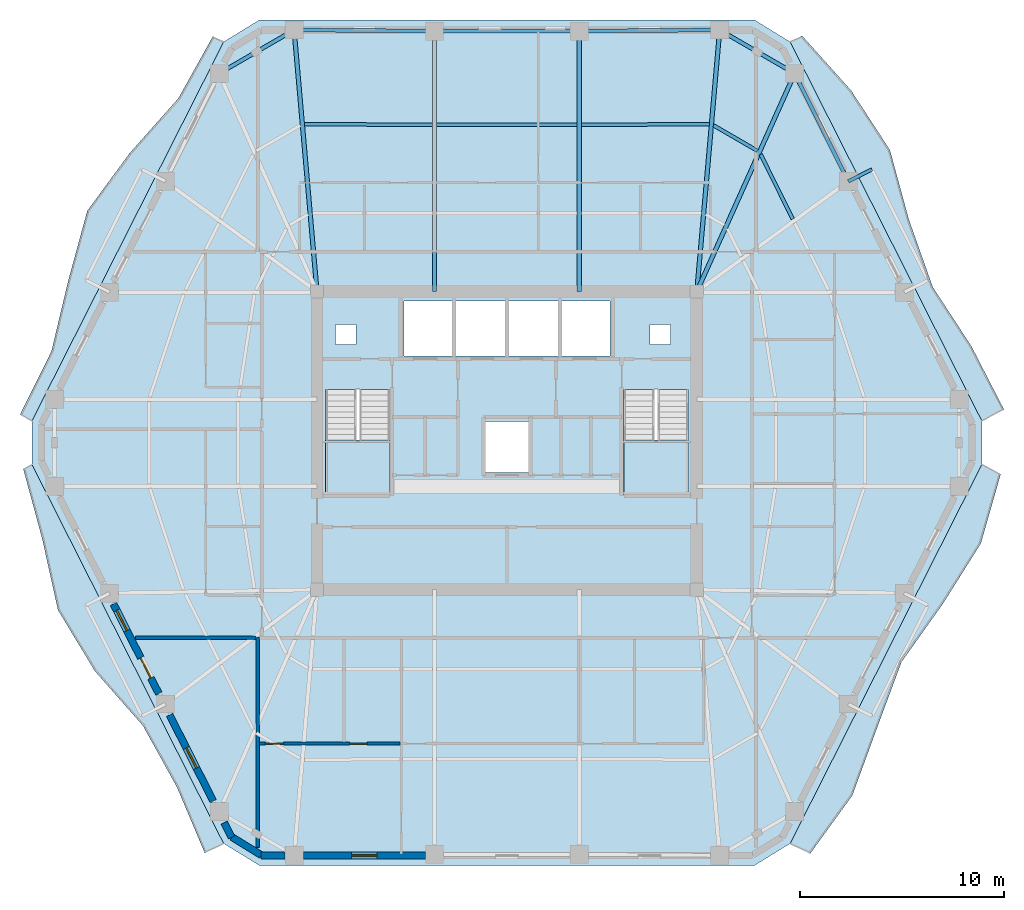
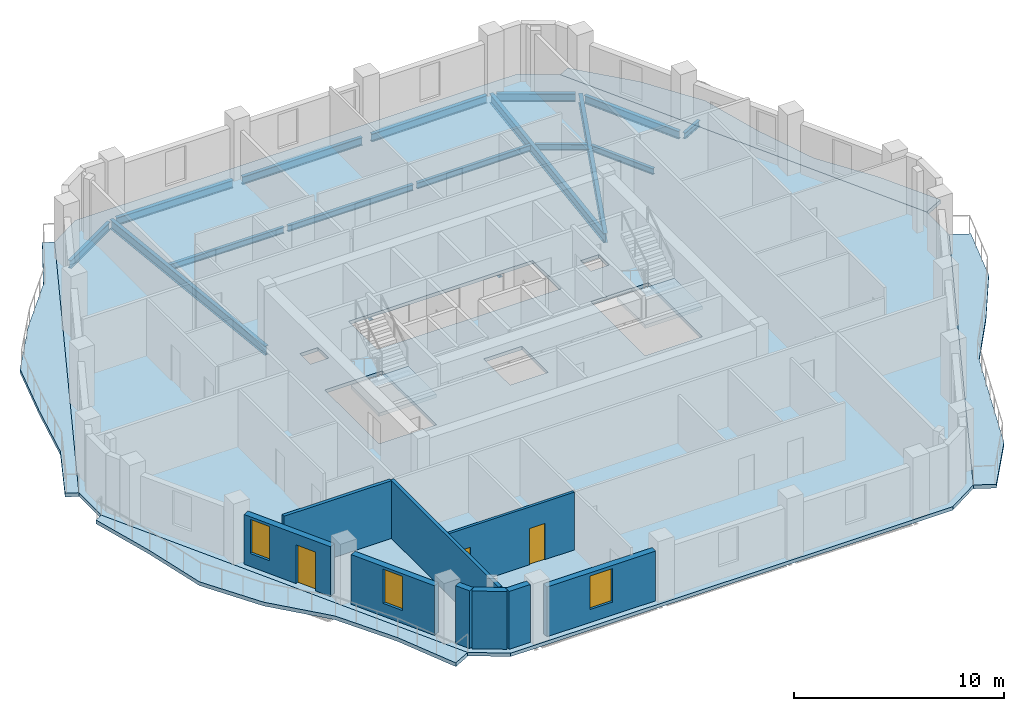
# One storey, part 3 of 12: 17 beams, 9 walls, 7 slabs, 3 doors, 3 windows, 6 openings, 2 elements without a shape of their own.
"""IFC4 building model written with IfcOpenShell, lengths in metres."""

from ifc_helpers import new_model, si_unit, direction, frame, frame_2d, origin, origin_2d, place, context, subcontext, project, spatial, polyline, rectangle, i_section, outline, extrude, material, layer, layer_set, material_profile, profile_set, type_object, element, fill, aggregate, save


model = new_model("IFC4")

# Units and contexts
model_context = context("Model", 3, precision=1e-05, world=origin(), true_north=direction((0.0, 1.0)))
body_context = subcontext(model_context, "Body", "Model", "MODEL_VIEW")
ifc_project = project(units=[si_unit("LENGTHUNIT", "METRE"), si_unit("AREAUNIT", "SQUARE_METRE"), si_unit("VOLUMEUNIT", "CUBIC_METRE"), si_unit("PLANEANGLEUNIT", "RADIAN"), si_unit("MASSUNIT", "GRAM", prefix="KILO")], contexts=[model_context])

# Site, building, storey
site_placement = place(None, origin())
site = spatial("IfcSite", under=ifc_project, at=site_placement, CompositionType="ELEMENT")
building_placement = place(site_placement, origin())
building = spatial("IfcBuilding", under=site, at=building_placement, Name="Cinnabar Lancet Tower", CompositionType="ELEMENT")
storey_placement = place(building_placement, frame((0.0, 0.0, 193.199951171875)))
storey = spatial("IfcBuildingStorey", under=building, at=storey_placement, Name="L51", CompositionType="ELEMENT", Elevation=193.199951171875)

# Beams
ifc_material_1 = material(Name="Structural steel S355", Category="steel")
ifc_material_profile_1 = material_profile(ifc_material_1, i_section(OverallWidth=0.17138671875, OverallDepth=0.35498046875, WebThickness=0.00732421875, FlangeThickness=0.011474609375, FilletRadius=0.01025390625, at=origin_2d()), Name="UKB 356x171x51")
ifc_profile_set_1 = profile_set([ifc_material_profile_1], Name="Structural steel S355")
beam_type_1 = type_object("IfcBeamType", Name="STR-BM-JST-356", PredefinedType="JOIST", material=ifc_profile_set_1)
beam_1_placement = place(storey_placement, frame((46.40087890625, 36.75, -0.3779296875), z_axis=(-0.444780091128, 0.895639810714, 0.0), x_axis=(-0.895639810714, -0.444780091128, 0.0)))
element("IfcBeam", 1, at=beam_1_placement, inside=storey, type_object=beam_type_1, Name="L51 Secondary Floor Joist 29", PredefinedType="JOIST", context=body_context, shape_type="SweptSolid", body=[
    extrude(i_section(OverallWidth=0.17138671875, OverallDepth=0.35498046875, WebThickness=0.00732421875, FlangeThickness=0.011474609375, FilletRadius=0.01025390625, at=origin_2d()), origin(), (0.0, 0.0, 1.0), 3.533935546875),
])
beam_2_placement = place(storey_placement, frame((44.677978515625, 40.089111328125, -0.3779296875), z_axis=(-0.865267839663, 0.501309849937, 0.0), x_axis=(-0.501309849937, -0.865267839663, 0.0)))
element("IfcBeam", 2, at=beam_2_placement, inside=storey, type_object=beam_type_1, Name="L51 Secondary Floor Joist 31", PredefinedType="JOIST", context=body_context, shape_type="SweptSolid", body=[
    extrude(i_section(OverallWidth=0.17138671875, OverallDepth=0.35498046875, WebThickness=0.00732421875, FlangeThickness=0.011474609375, FilletRadius=0.01025390625, at=origin_2d()), origin(), (0.0, 0.0, 1.0), 2.497314453125),
])
beam_3_placement = place(storey_placement, frame((42.31201171875, 41.39794921875, -0.3779296875), z_axis=(-0.999986965561, -0.005105752523, 0.0), x_axis=(0.005105752523, -0.999986965561, 0.0)))
element("IfcBeam", 3, at=beam_3_placement, inside=storey, type_object=beam_type_1, Name="L51 Secondary Floor Joist 33", PredefinedType="JOIST", context=body_context, shape_type="SweptSolid", body=[
    extrude(i_section(OverallWidth=0.17138671875, OverallDepth=0.35498046875, WebThickness=0.00732421875, FlangeThickness=0.011474609375, FilletRadius=0.01025390625, at=origin_2d()), origin(), (0.0, 0.0, 1.0), 6.263916015625),
])
beam_4_placement = place(storey_placement, frame((35.837890625, 41.364990234375, -0.3779296875), z_axis=(-1.0, 0.0, 0.0), x_axis=(0.0, -1.0, 0.0)))
element("IfcBeam", 4, at=beam_4_placement, inside=storey, type_object=beam_type_1, Name="L51 Secondary Floor Joist 35", PredefinedType="JOIST", context=body_context, shape_type="SweptSolid", body=[
    extrude(i_section(OverallWidth=0.17138671875, OverallDepth=0.35498046875, WebThickness=0.00732421875, FlangeThickness=0.011474609375, FilletRadius=0.01025390625, at=origin_2d()), origin(), (0.0, 0.0, 1.0), 6.8759765625),
])
beam_5_placement = place(storey_placement, frame((28.751953125, 41.365966796875, -0.3779296875), z_axis=(-0.999986965561, 0.005105752523, 0.0), x_axis=(-0.005105752523, -0.999986965561, 0.0)))
element("IfcBeam", 5, at=beam_5_placement, inside=storey, type_object=beam_type_1, Name="L51 Secondary Floor Joist 37", PredefinedType="JOIST", context=body_context, shape_type="SweptSolid", body=[
    extrude(i_section(OverallWidth=0.17138671875, OverallDepth=0.35498046875, WebThickness=0.00732421875, FlangeThickness=0.011474609375, FilletRadius=0.01025390625, at=origin_2d()), origin(), (0.0, 0.0, 1.0), 6.263916015625),
])
ifc_material_2 = material(Name="Structural steel S355", Category="steel")
ifc_material_profile_2 = material_profile(ifc_material_2, i_section(OverallWidth=0.1904296875, OverallDepth=0.45703125, WebThickness=0.009033203125, FlangeThickness=0.014404296875, FilletRadius=0.01025390625, at=origin_2d()), Name="UKB 457x191x74")
ifc_profile_set_2 = profile_set([ifc_material_profile_2], Name="Structural steel S355")
beam_type_2 = type_object("IfcBeamType", Name="STR-BM-SPN-457", PredefinedType="SPANDREL", material=ifc_profile_set_2)
beam_6_placement = place(storey_placement, frame((49.008056640625, 38.822998046875, -0.427978515625), z_axis=(-0.444932986899, 0.895563865489, 0.0), x_axis=(-0.895563865489, -0.444932986899, 0.0)))
element("IfcBeam", 6, at=beam_6_placement, inside=storey, type_object=beam_type_2, Name="L51 Perimeter Spandrel 11", PredefinedType="SPANDREL", context=body_context, shape_type="SweptSolid", body=[
    extrude(i_section(OverallWidth=0.1904296875, OverallDepth=0.45703125, WebThickness=0.009033203125, FlangeThickness=0.014404296875, FilletRadius=0.01025390625, at=origin_2d()), origin(), (0.0, 0.0, 1.0), 5.398681640625),
])
beam_7_placement = place(storey_placement, frame((46.279052734375, 44.007080078125, -0.427978515625), z_axis=(-0.865195717586, 0.501434313016, 0.0), x_axis=(-0.501434313016, -0.865195717586, 0.0)))
element("IfcBeam", 7, at=beam_7_placement, inside=storey, type_object=beam_type_2, Name="L51 Perimeter Spandrel 12", PredefinedType="SPANDREL", context=body_context, shape_type="SweptSolid", body=[
    extrude(i_section(OverallWidth=0.1904296875, OverallDepth=0.45703125, WebThickness=0.009033203125, FlangeThickness=0.014404296875, FilletRadius=0.01025390625, at=origin_2d()), origin(), (0.0, 0.0, 1.0), 3.7470703125),
])
beam_8_placement = place(storey_placement, frame((42.571044921875, 46.009033203125, -0.427978515625), z_axis=(-0.999970401924, -0.007693846685, 0.0), x_axis=(0.007693846685, -0.999970401924, 0.0)))
element("IfcBeam", 8, at=beam_8_placement, inside=storey, type_object=beam_type_2, Name="L51 Perimeter Spandrel 13", PredefinedType="SPANDREL", context=body_context, shape_type="SweptSolid", body=[
    extrude(i_section(OverallWidth=0.1904296875, OverallDepth=0.45703125, WebThickness=0.009033203125, FlangeThickness=0.014404296875, FilletRadius=0.01025390625, at=origin_2d()), origin(), (0.0, 0.0, 1.0), 6.378173828125),
])
beam_9_placement = place(storey_placement, frame((35.693115234375, 45.9580078125, -0.427978515625), z_axis=(-1.0, 0.0, 0.0), x_axis=(0.0, -1.0, 0.0)))
element("IfcBeam", 9, at=beam_9_placement, inside=storey, type_object=beam_type_2, Name="L51 Perimeter Spandrel 14", PredefinedType="SPANDREL", context=body_context, shape_type="SweptSolid", body=[
    extrude(i_section(OverallWidth=0.1904296875, OverallDepth=0.45703125, WebThickness=0.009033203125, FlangeThickness=0.014404296875, FilletRadius=0.01025390625, at=origin_2d()), origin(), (0.0, 0.0, 1.0), 6.586181640625),
])
beam_10_placement = place(storey_placement, frame((28.60693359375, 45.9599609375, -0.427978515625), z_axis=(-0.999970401924, 0.007693846685, 0.0), x_axis=(-0.007693846685, -0.999970401924, 0.0)))
element("IfcBeam", 10, at=beam_10_placement, inside=storey, type_object=beam_type_2, Name="L51 Perimeter Spandrel 15", PredefinedType="SPANDREL", context=body_context, shape_type="SweptSolid", body=[
    extrude(i_section(OverallWidth=0.1904296875, OverallDepth=0.45703125, WebThickness=0.009033203125, FlangeThickness=0.014404296875, FilletRadius=0.01025390625, at=origin_2d()), origin(), (0.0, 0.0, 1.0), 6.378173828125),
])
beam_11_placement = place(storey_placement, frame((21.762939453125, 45.885986328125, -0.427978515625), z_axis=(-0.865195717586, -0.501434313016, 0.0), x_axis=(0.501434313016, -0.865195717586, 0.0)))
element("IfcBeam", 11, at=beam_11_placement, inside=storey, type_object=beam_type_2, Name="L51 Perimeter Spandrel 16", PredefinedType="SPANDREL", context=body_context, shape_type="SweptSolid", body=[
    extrude(i_section(OverallWidth=0.1904296875, OverallDepth=0.45703125, WebThickness=0.009033203125, FlangeThickness=0.014404296875, FilletRadius=0.01025390625, at=origin_2d()), origin(), (0.0, 0.0, 1.0), 3.7470703125),
])
ifc_material_3 = material(Name="Structural steel S355", Category="steel")
ifc_material_profile_3 = material_profile(ifc_material_3, i_section(OverallWidth=0.209228515625, OverallDepth=0.533203125, WebThickness=0.010009765625, FlangeThickness=0.015625, FilletRadius=0.0126953125, at=origin_2d()), Name="UKB 533x210x92")
ifc_profile_set_3 = profile_set([ifc_material_profile_3], Name="Structural steel S355")
beam_type_3 = type_object("IfcBeamType", Name="STR-BM-UKB533-92", PredefinedType="BEAM", material=ifc_profile_set_3)
beam_12_placement = place(storey_placement, frame((46.4951171875, 43.882080078125, -0.467041015625), z_axis=(-0.409527011626, -0.912297992297, 0.0), x_axis=(0.912297992297, -0.409527011626, 0.0)))
element("IfcBeam", 12, at=beam_12_placement, inside=storey, type_object=beam_type_3, Name="L51 Primary Floor Girder 12", PredefinedType="BEAM", context=body_context, shape_type="SweptSolid", body=[
    extrude(i_section(OverallWidth=0.209228515625, OverallDepth=0.533203125, WebThickness=0.010009765625, FlangeThickness=0.015625, FilletRadius=0.0126953125, at=origin_2d()), origin(), (0.0, 0.0, 1.0), 11.708984375),
])
beam_13_placement = place(storey_placement, frame((42.821044921875, 46.010986328125, -0.467041015625), z_axis=(-0.087176841412, -0.996192851973, 0.0), x_axis=(0.996192851973, -0.087176841412, 0.0)))
element("IfcBeam", 13, at=beam_13_placement, inside=storey, type_object=beam_type_3, Name="L51 Primary Floor Girder 13", PredefinedType="BEAM", context=body_context, shape_type="SweptSolid", body=[
    extrude(i_section(OverallWidth=0.209228515625, OverallDepth=0.533203125, WebThickness=0.010009765625, FlangeThickness=0.015625, FilletRadius=0.0126953125, at=origin_2d()), origin(), (0.0, 0.0, 1.0), 12.860107421875),
])
for number, where, z_axis, x_axis, name in (
    (14, (35.943115234375, 45.9580078125, -0.467041015625), (0.0, -1.0, 0.0), (1.0, 0.0, 0.0), "L51 Primary Floor Girder 14"),
    (15, (28.85693359375, 45.9580078125, -0.467041015625), (0.0, -1.0, 0.0), (1.0, 0.0, 0.0), "L51 Primary Floor Girder 15"),
):
    element("IfcBeam", number, at=place(storey_placement, frame(where, z_axis=z_axis, x_axis=x_axis)), inside=storey, type_object=beam_type_3, Name=name, PredefinedType="BEAM", context=body_context, shape_type="SweptSolid", body=[
        extrude(i_section(OverallWidth=0.209228515625, OverallDepth=0.533203125, WebThickness=0.010009765625, FlangeThickness=0.015625, FilletRadius=0.0126953125, at=origin_2d()), origin(), (0.0, 0.0, 1.0), 12.758056640625),
    ])
beam_14_placement = place(storey_placement, frame((21.97900390625, 46.010986328125, -0.467041015625), z_axis=(0.087176841412, -0.996192851973, 0.0), x_axis=(0.996192851973, 0.087176841412, 0.0)))
element("IfcBeam", 16, at=beam_14_placement, inside=storey, type_object=beam_type_3, Name="L51 Primary Floor Girder 16", PredefinedType="BEAM", context=body_context, shape_type="SweptSolid", body=[
    extrude(i_section(OverallWidth=0.209228515625, OverallDepth=0.533203125, WebThickness=0.010009765625, FlangeThickness=0.015625, FilletRadius=0.0126953125, at=origin_2d()), origin(), (0.0, 0.0, 1.0), 12.860107421875),
])
ifc_material_4 = material(Name="Structural steel S355", Category="steel")
ifc_material_profile_4 = material_profile(ifc_material_4, i_section(OverallWidth=0.17138671875, OverallDepth=0.35498046875, WebThickness=0.00732421875, FlangeThickness=0.011474609375, FilletRadius=0.01025390625, at=origin_2d()), Name="UKB 356x171x51")
ifc_profile_set_4 = profile_set([ifc_material_profile_4], Name="Structural steel S355")
beam_type_4 = type_object("IfcBeamType", Name="STR-BM-WAV-OUT", PredefinedType="BEAM", material=ifc_profile_set_4)
beam_15_placement = place(storey_placement, frame((49.118896484375, 38.59912109375, -0.39794921875), z_axis=(0.892314203325, 0.451414845285, 0.0), x_axis=(-0.451414845285, 0.892314203325, 0.0)))
element("IfcBeam", 17, at=beam_15_placement, inside=storey, type_object=beam_type_4, Name="L51 Face 3 Balcony Outlooker B", PredefinedType="BEAM", context=body_context, shape_type="SweptSolid", body=[
    extrude(i_section(OverallWidth=0.17138671875, OverallDepth=0.35498046875, WebThickness=0.00732421875, FlangeThickness=0.011474609375, FilletRadius=0.01025390625, at=origin_2d()), origin(), (0.0, 0.0, 1.0), 1.300048828125),
])

# Stair, slab
ifc_material_5 = material(Name="Concrete C40/50", Category="concrete")
stair_type = type_object("IfcStairType", Name="ST-CORE", PredefinedType="HALF_TURN_STAIR", material=ifc_material_5)
stair_1_placement = place(storey_placement, origin())
stair_1 = element("IfcStair", 18, at=stair_1_placement, inside=storey, type_object=stair_type, Name="L51 ST-1", PredefinedType="HALF_TURN_STAIR")
ifc_material_6 = material(Name="Concrete C40/50", Category="concrete")
ifc_layer_1 = layer(ifc_material_6, 0.199951171875)
ifc_layer_set_1 = layer_set([ifc_layer_1], Name="Concrete C40/50")
slab_type_1 = type_object("IfcSlabType", Name="LANDING-CORE", PredefinedType="LANDING", material=ifc_layer_set_1)
slab_1_placement = place(storey_placement, frame((0.0, 0.0, 1.574951171875)))
slab_1 = element("IfcSlab", 19, at=slab_1_placement, type_object=slab_type_1, Name="ST-1 landing 1", PredefinedType="LANDING", context=body_context, shape_type="SweptSolid", body=[
    extrude(outline(polyline([(23.52490234375, 25.925048828125), (23.52490234375, 23.25), (26.675048828125, 23.25), (26.675048828125, 25.925048828125), (23.52490234375, 25.925048828125)])), origin(), (0.0, 0.0, 1.0), 0.2001953125),
])
aggregate(stair_1, [slab_1])

stair_2_placement = place(storey_placement, origin())
stair_2 = element("IfcStair", 20, at=stair_2_placement, inside=storey, type_object=stair_type, Name="L51 ST-2", PredefinedType="HALF_TURN_STAIR")
slab_2_placement = place(storey_placement, frame((0.0, 0.0, 1.574951171875)))
slab_2 = element("IfcSlab", 21, at=slab_2_placement, type_object=slab_type_1, Name="ST-2 landing 1", PredefinedType="LANDING", context=body_context, shape_type="SweptSolid", body=[
    extrude(outline(polyline([(38.125, 25.925048828125), (38.125, 23.25), (41.27490234375, 23.25), (41.27490234375, 25.925048828125), (38.125, 25.925048828125)])), origin(), (0.0, 0.0, 1.0), 0.2001953125),
])
aggregate(stair_2, [slab_2])

# Slabs
ifc_material_7 = material(Name="Concrete C40/50", Category="concrete")
ifc_layer_2 = layer(ifc_material_7, 0.199951171875)
ifc_layer_set_2 = layer_set([ifc_layer_2], Name="Concrete C40/50")
slab_type_2 = type_object("IfcSlabType", Name="STR-SLB-FLR-200", PredefinedType="FLOOR", material=ifc_layer_set_2)
slab_3_placement = place(storey_placement, frame((0.0, 0.0, -0.199951171875)))
element("IfcSlab", 22, at=slab_3_placement, inside=storey, type_object=slab_type_2, Name="L51 Structural Floor Slab", PredefinedType="FLOOR", context=body_context, shape_type="SweptSolid", body=[
    extrude(outline(polyline([(18.530029296875, 6.1708984375), (20.27197265625, 5.10009765625), (44.528076171875, 5.10009765625), (46.27001953125, 6.1708984375), (55.657958984375, 24.72900390625), (55.657958984375, 26.87109375), (46.27001953125, 45.428955078125), (44.528076171875, 46.5), (20.27197265625, 46.5), (18.530029296875, 45.428955078125), (9.14208984375, 26.87109375), (9.14208984375, 24.72900390625), (18.530029296875, 6.1708984375)]), holes=[polyline([(23.52490234375, 23.25), (26.675048828125, 23.25), (26.675048828125, 28.3994140625), (23.52490234375, 28.3994140625), (23.52490234375, 23.25)]), polyline([(38.125, 23.25), (41.27490234375, 23.25), (41.27490234375, 28.3994140625), (38.125, 28.3994140625), (38.125, 23.25)]), polyline([(27.35009765625, 30.050048828125), (37.449951171875, 30.050048828125), (37.449951171875, 32.75), (27.35009765625, 32.75), (27.35009765625, 30.050048828125)]), polyline([(31.35009765625, 24.35009765625), (33.449951171875, 24.35009765625), (33.449951171875, 26.85009765625), (31.35009765625, 26.85009765625), (31.35009765625, 24.35009765625)]), polyline([(24.0, 30.60009765625), (25.0, 30.60009765625), (25.0, 31.60009765625), (24.0, 31.60009765625), (24.0, 30.60009765625)]), polyline([(39.39990234375, 30.60009765625), (40.39990234375, 30.60009765625), (40.39990234375, 31.60009765625), (39.39990234375, 31.60009765625), (39.39990234375, 30.60009765625)])]), origin(), (0.0, 0.0, 1.0), 0.199951171875),
])
ifc_material_8 = material(Name="Concrete C45/55", Category="concrete")
ifc_layer_3 = layer(ifc_material_8, 0.219970703125)
ifc_layer_set_3 = layer_set([ifc_layer_3], Name="Concrete C45/55")
slab_type_3 = type_object("IfcSlabType", Name="STR-SLB-WAV-220", PredefinedType="FLOOR", material=ifc_layer_set_3)
slab_4_placement = place(storey_placement, frame((0.0, 0.0, -0.219970703125)))
element("IfcSlab", 23, at=slab_4_placement, inside=storey, type_object=slab_type_3, Name="L51 Face 2 Undulating Wave Balcony Slab", PredefinedType="FLOOR", context=body_context, shape_type="SweptSolid", body=[
    extrude(outline(polyline([(46.27001953125, 6.1708984375), (47.2509765625, 5.675048828125), (49.31103515625, 8.51708984375), (50.510986328125, 11.7939453125), (51.72607421875, 15.06494140625), (53.758056640625, 17.9208984375), (55.610107421875, 20.868896484375), (56.58203125, 24.260986328125), (55.657958984375, 24.72900390625), (46.27001953125, 6.1708984375)])), origin(), (0.0, 0.0, 1.0), 0.219970703125),
])
slab_5_placement = place(storey_placement, frame((0.0, 0.0, -0.219970703125)))
element("IfcSlab", 24, at=slab_5_placement, inside=storey, type_object=slab_type_3, Name="L51 Face 3 Undulating Wave Balcony Slab", PredefinedType="FLOOR", context=body_context, shape_type="SweptSolid", body=[
    extrude(outline(polyline([(55.657958984375, 26.87109375), (56.743896484375, 27.419921875), (55.157958984375, 30.501953125), (53.25390625, 33.424072265625), (52.0869140625, 36.718017578125), (51.156982421875, 40.132080078125), (49.2529296875, 43.053955078125), (46.85595703125, 45.72607421875), (46.27001953125, 45.428955078125), (55.657958984375, 26.87109375)])), origin(), (0.0, 0.0, 1.0), 0.219970703125),
])
slab_6_placement = place(storey_placement, frame((0.0, 0.0, -0.219970703125)))
element("IfcSlab", 25, at=slab_6_placement, inside=storey, type_object=slab_type_3, Name="L51 Face 5 Undulating Wave Balcony Slab", PredefinedType="FLOOR", context=body_context, shape_type="SweptSolid", body=[
    extrude(outline(polyline([(18.530029296875, 45.428955078125), (18.0009765625, 45.697021484375), (16.31396484375, 42.666015625), (13.931884765625, 39.986083984375), (11.85205078125, 37.154052734375), (10.919921875, 33.739990234375), (10.094970703125, 30.27294921875), (8.555908203125, 27.1669921875), (9.14208984375, 26.87109375), (18.530029296875, 45.428955078125)])), origin(), (0.0, 0.0, 1.0), 0.219970703125),
])
slab_7_placement = place(storey_placement, frame((0.0, 0.0, -0.219970703125)))
element("IfcSlab", 26, at=slab_7_placement, inside=storey, type_object=slab_type_3, Name="L51 Face 6 Undulating Wave Balcony Slab", PredefinedType="FLOOR", context=body_context, shape_type="SweptSolid", body=[
    extrude(outline(polyline([(9.14208984375, 24.72900390625), (8.717041015625, 24.513916015625), (9.64306640625, 21.097900390625), (10.416015625, 17.60498046875), (12.212890625, 14.62890625), (14.576904296875, 11.94091796875), (16.2548828125, 8.905029296875), (17.60595703125, 5.7041015625), (18.530029296875, 6.1708984375), (9.14208984375, 24.72900390625)])), origin(), (0.0, 0.0, 1.0), 0.219970703125),
])

# Walls
ifc_material_9 = material(Name="Fire-rated twin-frame acoustic drywall", Category="gypsum")
ifc_layer_4 = layer(ifc_material_9, 0.179931640625)
ifc_layer_set_4 = layer_set([ifc_layer_4], Name="Fire-rated twin-frame acoustic drywall")
wall_type_1 = type_object("IfcWallType", Name="ARC-WL-PARTY-180", PredefinedType="PARTITIONING", material=ifc_layer_set_4)
wall_1_placement = place(storey_placement, frame((20.199951171875, 5.968017578125, 0.0), z_axis=(0.0, 0.0, 1.0), x_axis=(0.0, 1.0, 0.0)))
element("IfcWall", 27, at=wall_1_placement, inside=storey, type_object=wall_type_1, Name="PW-L51-SPTY-202", PredefinedType="PARTITIONING", context=body_context, shape_type="SweptSolid", body=[
    extrude(rectangle(XDim=10.281982421875, YDim=0.179931640625, at=frame_2d((5.14111328125, 0.0))), origin(), (0.0, 0.0, 1.0), 3.35009765625),
])
wall_2_placement = place(storey_placement, frame((14.2109375, 16.25, 0.0), z_axis=(0.0, 0.0, 1.0), x_axis=(1.0, 0.0, 0.0)))
element("IfcWall", 28, at=wall_2_placement, inside=storey, type_object=wall_type_1, Name="PW-L51-WSB", PredefinedType="PARTITIONING", context=body_context, shape_type="SweptSolid", body=[
    extrude(rectangle(XDim=5.89404296875, YDim=0.179931640625, at=frame_2d((2.947021484375, 0.0))), origin(), (0.0, 0.0, 1.0), 3.35009765625),
])

# Wall, openings, doors
ifc_material_10 = material(Name="Moisture-resistant cement-board plumbing wall", Category="masonry")
ifc_layer_5 = layer(ifc_material_10, 0.139892578125)
ifc_layer_set_5 = layer_set([ifc_layer_5], Name="Moisture-resistant cement-board plumbing wall")
wall_type_2 = type_object("IfcWallType", Name="ARC-WL-WET-140", PredefinedType="PLUMBINGWALL", material=ifc_layer_set_5)
wall_3_placement = place(storey_placement, frame((20.294921875, 11.06298828125, 0.0), z_axis=(0.0, 0.0, 1.0), x_axis=(1.0, 0.0, 0.0)))
wall_3 = element("IfcWall", 29, at=wall_3_placement, inside=storey, type_object=wall_type_2, Name="UW-L51-S01-SPM", PredefinedType="PLUMBINGWALL", context=body_context, shape_type="SweptSolid", body=[
    extrude(rectangle(XDim=6.8671875, YDim=0.139892578125, at=frame_2d((3.43359375, 0.0))), origin(), (0.0, 0.0, 1.0), 3.35009765625),
])
opening_1_placement = place(wall_3_placement, frame((0.280029296875, 0.0, 0.0)))
opening_1 = element("IfcOpeningElement", 30, at=opening_1_placement, cuts=wall_3, Name="Opening RD-02", PredefinedType="OPENING", context=body_context, shape_type="SweptSolid", body=[
    extrude(rectangle(XDim=0.8798828125, YDim=2.14990234375, at=frame_2d((0.43994140625, 1.074951171875))), frame((0.0, 0.079833984375, 0.0), z_axis=(0.0, -1.0, 0.0), x_axis=(1.0, 0.0, 0.0)), (0.0, 0.0, 1.0), 0.159912109375),
])
opening_2_placement = place(wall_3_placement, frame((4.402099609375, 0.0, 0.0)))
opening_2 = element("IfcOpeningElement", 31, at=opening_2_placement, cuts=wall_3, Name="Opening BD-01", PredefinedType="OPENING", context=body_context, shape_type="SweptSolid", body=[
    extrude(rectangle(XDim=0.860107421875, YDim=2.10009765625, at=frame_2d((0.43017578125, 1.050048828125))), frame((0.0, 0.079833984375, 0.0), z_axis=(0.0, -1.0, 0.0), x_axis=(1.0, 0.0, 0.0)), (0.0, 0.0, 1.0), 0.159912109375),
])
ifc_material_11 = material(Name="Moisture-resistant timber bathroom door", Category="wood")
door_type_1 = type_object("IfcDoorType", Name="ARC-DR-BATH", OperationType="NOTDEFINED", PredefinedType="DOOR", material=ifc_material_11)
door_1_placement = place(opening_2_placement, origin())
door_1 = element("IfcDoor", 32, at=door_1_placement, inside=storey, type_object=door_type_1, Name="DR-L51-S01-ENS", OperationType="SINGLE_SWING_LEFT", OverallHeight=2.10009765625, OverallWidth=0.860107421875, PredefinedType="DOOR", context=body_context, shape_type="SweptSolid", body=[
    extrude(rectangle(XDim=0.860107421875, YDim=2.10009765625, at=frame_2d((0.43017578125, 1.050048828125))), frame((0.0, 0.02490234375, 0.0), z_axis=(0.0, -1.0, 0.0), x_axis=(1.0, 0.0, 0.0)), (0.0, 0.0, 1.0), 0.050048828125),
])
fill(opening_2, door_1)
ifc_material_12 = material(Name="Engineered timber study door", Category="wood")
door_type_2 = type_object("IfcDoorType", Name="ARC-DR-STUDY", OperationType="NOTDEFINED", PredefinedType="DOOR", material=ifc_material_12)
door_2_placement = place(opening_1_placement, origin())
door_2 = element("IfcDoor", 33, at=door_2_placement, inside=storey, type_object=door_type_2, Name="DR-L51-S01-ENS-WDR", OperationType="SINGLE_SWING_RIGHT", OverallHeight=2.14990234375, OverallWidth=0.8798828125, PredefinedType="DOOR", context=body_context, shape_type="SweptSolid", body=[
    extrude(rectangle(XDim=0.8798828125, YDim=2.14990234375, at=frame_2d((0.43994140625, 1.074951171875))), frame((0.0, 0.02490234375, 0.0), z_axis=(0.0, -1.0, 0.0), x_axis=(1.0, 0.0, 0.0)), (0.0, 0.0, 1.0), 0.050048828125),
])
fill(opening_1, door_2)

# Walls
ifc_material_13 = material(Name="Cinnabar red clay brick", Category="masonry")
ifc_layer_6 = layer(ifc_material_13, 0.340087890625)
ifc_layer_set_6 = layer_set([ifc_layer_6], Name="Cinnabar red clay brick")
wall_type_3 = type_object("IfcWallType", Name="ENV-WL-BRK-RED-340", PredefinedType="STANDARD", material=ifc_layer_set_6)
wall_4_placement = place(storey_placement, frame((18.93798828125, 6.48388671875, 0.0), z_axis=(0.0, 0.0, 1.0), x_axis=(0.851778214877, -0.523902541185, 0.0)))
element("IfcWall", 34, at=wall_4_placement, inside=storey, type_object=wall_type_3, Name="L51 Chamfered Corner Brick Pier 1.1", PredefinedType="STANDARD", context=body_context, shape_type="SweptSolid", body=[
    extrude(rectangle(XDim=1.677734375, YDim=0.340087890625, at=frame_2d((0.8388671875, 0.0))), origin(), (0.0, 0.0, 1.0), 3.35009765625),
])
wall_5_placement = place(storey_placement, frame((20.362060546875, 5.580078125, 0.0), z_axis=(0.0, 0.0, 1.0), x_axis=(1.0, 0.0, 0.0)))
element("IfcWall", 35, at=wall_5_placement, inside=storey, type_object=wall_type_3, Name="L51 Face 1 Masonry Bay Wall 1", PredefinedType="STANDARD", context=body_context, shape_type="SweptSolid", body=[
    extrude(rectangle(XDim=1.162841796875, YDim=0.340087890625, at=frame_2d((0.58154296875, 0.0))), origin(), (0.0, 0.0, 1.0), 3.35009765625),
])

# Wall, opening, window
wall_6_placement = place(storey_placement, frame((22.43310546875, 5.580078125, 0.0), z_axis=(0.0, 0.0, 1.0), x_axis=(1.0, 0.0, 0.0)))
wall_6 = element("IfcWall", 36, at=wall_6_placement, inside=storey, type_object=wall_type_3, Name="L51 Face 1 Masonry Bay Wall 2", PredefinedType="STANDARD", context=body_context, shape_type="SweptSolid", body=[
    extrude(rectangle(XDim=5.969970703125, YDim=0.340087890625, at=frame_2d((2.98486328125, 0.0))), origin(), (0.0, 0.0, 1.0), 2.883056640625),
])
opening_3_placement = place(wall_6_placement, frame((2.360107421875, 0.0, 0.75)))
opening_3 = element("IfcOpeningElement", 37, at=opening_3_placement, cuts=wall_6, Name="Opening WN-03", PredefinedType="OPENING", context=body_context, shape_type="SweptSolid", body=[
    extrude(rectangle(XDim=1.25, YDim=1.949951171875, at=frame_2d((0.625, 0.97509765625))), frame((0.0, 0.179931640625, 0.0), z_axis=(0.0, -1.0, 0.0), x_axis=(1.0, 0.0, 0.0)), (0.0, 0.0, 1.0), 0.360107421875),
])
ifc_material_14 = material(Name="Thermally broken bronze-anodized aluminium low-E double glazing", Category="aluminium")
window_type_1 = type_object("IfcWindowType", Name="ENV-WN-LANCET-1250", PartitioningType="SINGLE_PANEL", PredefinedType="WINDOW", material=ifc_material_14)
window_1_placement = place(opening_3_placement, origin())
window_1 = element("IfcWindow", 38, at=window_1_placement, inside=storey, type_object=window_type_1, Name="L51 Face 1 Gothic Lancet Window 2", OverallHeight=1.949951171875, OverallWidth=1.25, PartitioningType="SINGLE_PANEL", PredefinedType="WINDOW", context=body_context, shape_type="SweptSolid", body=[
    extrude(rectangle(XDim=1.25, YDim=1.949951171875, at=frame_2d((0.625, 0.97509765625))), frame((0.0, 0.030029296875, 0.0), z_axis=(0.0, -1.0, 0.0), x_axis=(1.0, 0.0, 0.0)), (0.0, 0.0, 1.0), 0.06005859375),
])
fill(opening_3, window_1)

# Wall, openings, door, window
wall_7_placement = place(storey_placement, frame((13.135009765625, 17.89794921875, 0.0), z_axis=(0.0, 0.0, 1.0), x_axis=(0.451544279509, -0.892248711763, 0.0)))
wall_7 = element("IfcWall", 39, at=wall_7_placement, inside=storey, type_object=wall_type_3, Name="L51 Face 6 Masonry Bay Wall 3", PredefinedType="STANDARD", context=body_context, shape_type="SweptSolid", body=[
    extrude(rectangle(XDim=4.909912109375, YDim=0.340087890625, at=frame_2d((2.455078125, 0.0))), origin(), (0.0, 0.0, 1.0), 2.883056640625),
])
opening_4_placement = place(wall_7_placement, frame((2.9541015625, 0.0, 0.0)))
opening_4 = element("IfcOpeningElement", 40, at=opening_4_placement, cuts=wall_7, Name="Opening TD-01", PredefinedType="OPENING", context=body_context, shape_type="SweptSolid", body=[
    extrude(rectangle(XDim=1.10009765625, YDim=2.25, at=frame_2d((0.550048828125, 1.125))), frame((0.0, 0.179931640625, 0.0), z_axis=(0.0, -1.0, 0.0), x_axis=(1.0, 0.0, 0.0)), (0.0, 0.0, 1.0), 0.360107421875),
])
opening_5_placement = place(wall_7_placement, frame((0.35302734375, 0.0, 0.75)))
opening_5 = element("IfcOpeningElement", 41, at=opening_5_placement, cuts=wall_7, Name="Opening WN-04", PredefinedType="OPENING", context=body_context, shape_type="SweptSolid", body=[
    extrude(rectangle(XDim=1.10009765625, YDim=1.98291015625, at=frame_2d((0.550048828125, 0.991455078125))), frame((0.0, 0.179931640625, 0.0), z_axis=(0.0, -1.0, 0.0), x_axis=(1.0, 0.0, 0.0)), (0.0, 0.0, 1.0), 0.360107421875),
])
ifc_material_15 = material(Name="Thermally broken low-E glazed balcony terrace door", Category="wood")
door_type_3 = type_object("IfcDoorType", Name="ARC-DR-BALC", OperationType="NOTDEFINED", PredefinedType="DOOR", material=ifc_material_15)
door_3_placement = place(opening_4_placement, origin())
door_3 = element("IfcDoor", 42, at=door_3_placement, inside=storey, type_object=door_type_3, Name="L51 Face 6 Glazed Terrace Door", OperationType="SINGLE_SWING_LEFT", OverallHeight=2.25, OverallWidth=1.10009765625, PredefinedType="DOOR", context=body_context, shape_type="SweptSolid", body=[
    extrude(rectangle(XDim=1.10009765625, YDim=2.25, at=frame_2d((0.550048828125, 1.125))), frame((0.0, 0.02490234375, 0.0), z_axis=(0.0, -1.0, 0.0), x_axis=(1.0, 0.0, 0.0)), (0.0, 0.0, 1.0), 0.050048828125),
])
fill(opening_4, door_3)
ifc_material_16 = material(Name="Thermally broken bronze-anodized aluminium tall lancet window", Category="aluminium")
window_type_2 = type_object("IfcWindowType", Name="ENV-WN-LANCET-1100", PartitioningType="SINGLE_PANEL", PredefinedType="WINDOW", material=ifc_material_16)
window_2_placement = place(opening_5_placement, origin())
window_2 = element("IfcWindow", 43, at=window_2_placement, inside=storey, type_object=window_type_2, Name="L51 Split-Bay Gothic Lancet Window 171", OverallHeight=1.98291015625, OverallWidth=1.10009765625, PartitioningType="SINGLE_PANEL", PredefinedType="WINDOW", context=body_context, shape_type="SweptSolid", body=[
    extrude(rectangle(XDim=1.10009765625, YDim=1.98291015625, at=frame_2d((0.550048828125, 0.991455078125))), frame((0.0, 0.030029296875, 0.0), z_axis=(0.0, -1.0, 0.0), x_axis=(1.0, 0.0, 0.0)), (0.0, 0.0, 1.0), 0.06005859375),
])
fill(opening_5, window_2)

# Wall, opening, window
wall_8_placement = place(storey_placement, frame((15.881103515625, 12.469970703125, 0.0), z_axis=(0.0, 0.0, 1.0), x_axis=(0.451522864045, -0.892259549259, 0.0)))
wall_8 = element("IfcWall", 44, at=wall_8_placement, inside=storey, type_object=wall_type_3, Name="L51 Face 6 Masonry Bay Wall 4", PredefinedType="STANDARD", context=body_context, shape_type="SweptSolid", body=[
    extrude(rectangle(XDim=4.730712890625, YDim=0.340087890625, at=frame_2d((2.365234375, 0.0))), origin(), (0.0, 0.0, 1.0), 2.883056640625),
])
opening_6_placement = place(wall_8_placement, frame((1.81494140625, 0.0, 0.75)))
opening_6 = element("IfcOpeningElement", 45, at=opening_6_placement, cuts=wall_8, Name="Opening WN-04", PredefinedType="OPENING", context=body_context, shape_type="SweptSolid", body=[
    extrude(rectangle(XDim=1.10009765625, YDim=1.98291015625, at=frame_2d((0.550048828125, 0.991455078125))), frame((0.0, 0.179931640625, 0.0), z_axis=(0.0, -1.0, 0.0), x_axis=(1.0, 0.0, 0.0)), (0.0, 0.0, 1.0), 0.360107421875),
])
window_3_placement = place(opening_6_placement, origin())
window_3 = element("IfcWindow", 46, at=window_3_placement, inside=storey, type_object=window_type_2, Name="L51 Face 6 Gothic Lancet Window 4", OverallHeight=1.98291015625, OverallWidth=1.10009765625, PartitioningType="SINGLE_PANEL", PredefinedType="WINDOW", context=body_context, shape_type="SweptSolid", body=[
    extrude(rectangle(XDim=1.10009765625, YDim=1.98291015625, at=frame_2d((0.550048828125, 0.991455078125))), frame((0.0, 0.030029296875, 0.0), z_axis=(0.0, -1.0, 0.0), x_axis=(1.0, 0.0, 0.0)), (0.0, 0.0, 1.0), 0.06005859375),
])
fill(opening_6, window_3)

# Wall
wall_9_placement = place(storey_placement, frame((18.553955078125, 7.18701171875, 0.0), z_axis=(0.0, 0.0, 1.0), x_axis=(0.451691568309, -0.892174157392, 0.0)))
element("IfcWall", 47, at=wall_9_placement, inside=storey, type_object=wall_type_3, Name="L51 Face 6 Masonry Bay Wall 5", PredefinedType="STANDARD", context=body_context, shape_type="SweptSolid", body=[
    extrude(rectangle(XDim=0.805908203125, YDim=0.340087890625, at=frame_2d((0.40283203125, 0.0))), origin(), (0.0, 0.0, 1.0), 3.35009765625),
])

save(model, "model.ifc")
